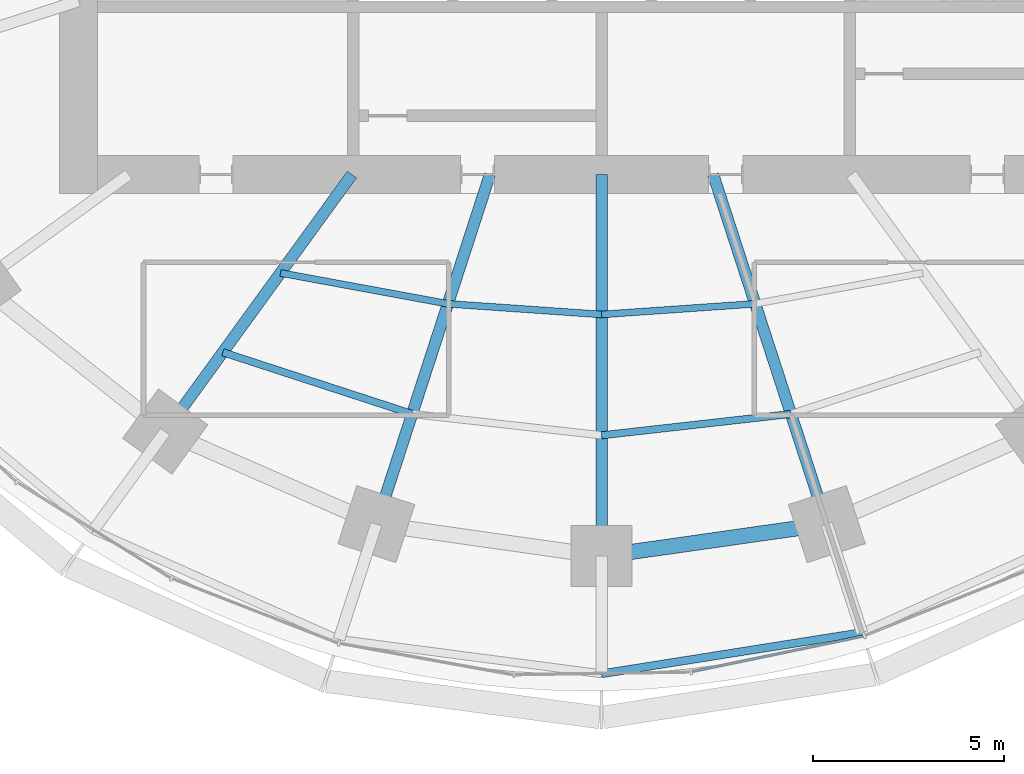
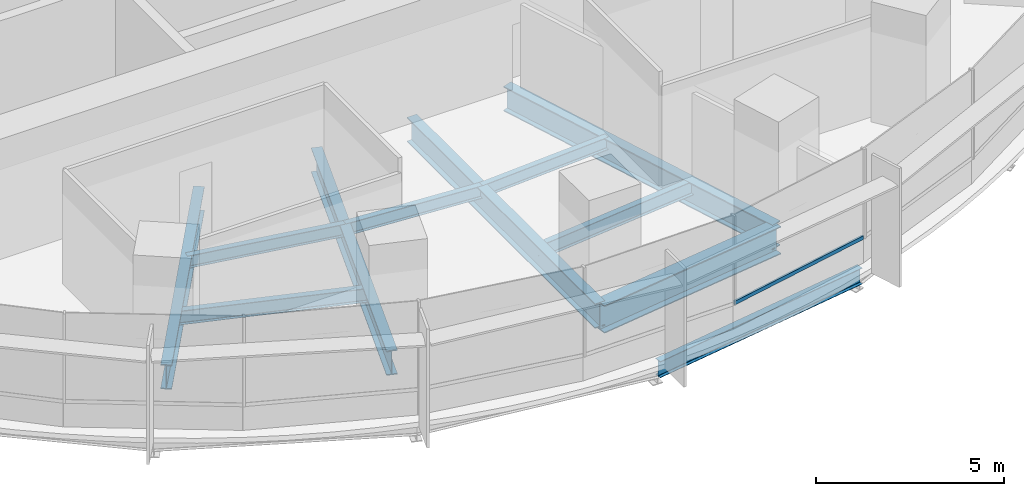
# One storey, part 3 of 14: 11 beams, 1 member, 1 element without a shape of its own.
"""IFC4 building model written with IfcOpenShell, lengths in metres."""

from ifc_helpers import new_model, si_unit, direction, frame, origin, origin_2d, place, context, subcontext, project, spatial, rectangle, i_section, extrude, material, material_profile, profile_set, type_object, element, aggregate, save


model = new_model("IFC4")

# Units and contexts
model_context = context("Model", 3, precision=1e-05, world=origin(), true_north=direction((0.0, 1.0)))
body_context = subcontext(model_context, "Body", "Model", "MODEL_VIEW")
ifc_project = project(units=[si_unit("LENGTHUNIT", "METRE"), si_unit("AREAUNIT", "SQUARE_METRE"), si_unit("VOLUMEUNIT", "CUBIC_METRE"), si_unit("PLANEANGLEUNIT", "RADIAN"), si_unit("MASSUNIT", "GRAM", prefix="KILO")], contexts=[model_context])

# Site, building, storey
site_placement = place(None, origin())
site = spatial("IfcSite", under=ifc_project, at=site_placement, CompositionType="ELEMENT")
building_placement = place(site_placement, origin())
building = spatial("IfcBuilding", under=site, at=building_placement, Name="Marramba Exchange Tower", CompositionType="ELEMENT")
storey_placement = place(building_placement, frame((0.0, 0.0, 162.60009765625)))
storey = spatial("IfcBuildingStorey", under=building, at=storey_placement, Name="L39", CompositionType="ELEMENT", Elevation=162.60009765625)

# Beams
ifc_material_1 = material(Name="Steel AS/NZS 3679.1 grade 300", Category="steel")
ifc_material_profile_1 = material_profile(ifc_material_1, i_section(OverallWidth=0.177978515625, OverallDepth=0.406005859375, WebThickness=0.0078125, FlangeThickness=0.0126953125, FilletRadius=0.011474609375, at=origin_2d()), Name="410UB59.7")
ifc_profile_set_1 = profile_set([ifc_material_profile_1], Name="Steel AS/NZS 3679.1 grade 300")
beam_type_1 = type_object("IfcBeamType", Name="Floor joist 410UB59.7", PredefinedType="JOIST", material=ifc_profile_set_1)
beam_1_placement = place(storey_placement, frame((-8.41162109375, -11.57763671875, -0.363037109375), z_axis=(0.983455754421, -0.181148500119, 0.0), x_axis=(0.181148500119, 0.983455754421, 0.0)))
element("IfcBeam", 1, at=beam_1_placement, inside=storey, type_object=beam_type_1, Name="Joist L39 bay 14 row 1", PredefinedType="JOIST", context=body_context, shape_type="SweptSolid", body=[
    extrude(i_section(OverallWidth=0.177978515625, OverallDepth=0.406005859375, WebThickness=0.0078125, FlangeThickness=0.0126953125, FilletRadius=0.011474609375, at=origin_2d()), origin(), (0.0, 0.0, 1.0), 4.4609375),
])
for number, where, z_axis, x_axis, name in (
    (2, (-4.0244140625, -12.3857421875, -0.363037109375), (0.99759625901, -0.069294328838, 0.0), (0.069294328838, 0.99759625901, 0.0), "Joist L39 bay 15 row 1"),
    (3, (0.0, -12.665283203125, -0.363037109375), (0.99759625901, 0.069294328838, 0.0), (-0.069294328838, 0.99759625901, 0.0), "Joist L39 bay 16 row 1"),
):
    element("IfcBeam", number, at=place(storey_placement, frame(where, z_axis=z_axis, x_axis=x_axis)), inside=storey, type_object=beam_type_1, Name=name, PredefinedType="JOIST", context=body_context, shape_type="SweptSolid", body=[
        extrude(i_section(OverallWidth=0.177978515625, OverallDepth=0.406005859375, WebThickness=0.0078125, FlangeThickness=0.0126953125, FilletRadius=0.011474609375, at=origin_2d()), origin(), (0.0, 0.0, 1.0), 4.0341796875),
    ])
ifc_material_profile_2 = material_profile(ifc_material_1, i_section(OverallWidth=0.18994140625, OverallDepth=0.4541015625, WebThickness=0.008544921875, FlangeThickness=0.0126953125, FilletRadius=0.011474609375, at=origin_2d()), Name="460UB67.1")
ifc_profile_set_2 = profile_set([ifc_material_profile_2], Name="Steel AS/NZS 3679.1 grade 300")
beam_type_2 = type_object("IfcBeamType", Name="Floor joist 460UB67.1", PredefinedType="JOIST", material=ifc_profile_set_2)
beam_2_placement = place(storey_placement, frame((-9.9208984375, -13.655029296875, -0.38720703125), z_axis=(0.950764024931, -0.309915744834, 0.0), x_axis=(0.309915744834, 0.950764024931, 0.0)))
element("IfcBeam", 4, at=beam_2_placement, inside=storey, type_object=beam_type_2, Name="Joist L39 bay 14 row 2", PredefinedType="JOIST", context=body_context, shape_type="SweptSolid", body=[
    extrude(i_section(OverallWidth=0.18994140625, OverallDepth=0.4541015625, WebThickness=0.008544921875, FlangeThickness=0.0126953125, FilletRadius=0.011474609375, at=origin_2d()), origin(), (0.0, 0.0, 1.0), 5.2158203125),
])
beam_3_placement = place(storey_placement, frame((0.0, -15.83056640625, -0.38720703125), z_axis=(0.993712018573, 0.111966174106, 0.0), x_axis=(-0.111966174106, 0.993712018573, 0.0)))
element("IfcBeam", 5, at=beam_3_placement, inside=storey, type_object=beam_type_2, Name="Joist L39 bay 16 row 2", PredefinedType="JOIST", context=body_context, shape_type="SweptSolid", body=[
    extrude(i_section(OverallWidth=0.18994140625, OverallDepth=0.4541015625, WebThickness=0.008544921875, FlangeThickness=0.0126953125, FilletRadius=0.011474609375, at=origin_2d()), origin(), (0.0, 0.0, 1.0), 4.993408203125),
])

# Curtain wall, member
ifc_material_2 = material(Name="Aluminium framing, bronze anodised", Category="aluminium")
curtain_wall_type = type_object("IfcCurtainWallType", Name="Office ribbon curtain wall", PredefinedType="USERDEFINED", material=ifc_material_2)
curtain_wall_placement = place(storey_placement, origin())
curtain_wall = element("IfcCurtainWall", 6, at=curtain_wall_placement, inside=storey, type_object=curtain_wall_type, Name="Curtain wall CW4 L39 F21-F25", ObjectType="RIBBON CURTAIN WALL", PredefinedType="USERDEFINED")
ifc_material_3 = material(Name="Aluminium transom, bronze anodised", Category="aluminium")
ifc_material_profile_3 = material_profile(ifc_material_3, rectangle(XDim=0.06005859375, YDim=0.1201171875, at=origin_2d()), Name="CW4 transom 60x120")
ifc_profile_set_3 = profile_set([ifc_material_profile_3], Name="Aluminium transom, bronze anodised")
member_type = type_object("IfcMemberType", Name="Office ribbon curtain wall transom", PredefinedType="USERDEFINED", material=ifc_profile_set_3)
member_placement = place(storey_placement, frame((2.374267578125, -22.017822265625, 0.829833984375), z_axis=(0.979310422034, 0.202363774661, 0.0), x_axis=(-0.202363774661, 0.979310422034, 0.0)))
member = element("IfcMember", 7, at=member_placement, type_object=member_type, Name="CW4 sill transom", ObjectType="TRANSOM", PredefinedType="USERDEFINED", context=body_context, shape_type="SweptSolid", body=[
    extrude(rectangle(XDim=0.06005859375, YDim=0.1201171875, at=origin_2d()), origin(), (0.0, 0.0, 1.0), 4.57373046875),
])
aggregate(curtain_wall, [member])

# Beams
ifc_material_4 = material(Name="Steel AS/NZS 3679.2 grade 300", Category="steel")
ifc_material_profile_4 = material_profile(ifc_material_4, i_section(OverallWidth=0.300048828125, OverallDepth=0.800048828125, WebThickness=0.013916015625, FlangeThickness=0.031982421875, at=origin_2d()), Name="800WB192")
ifc_profile_set_4 = profile_set([ifc_material_profile_4], Name="Steel AS/NZS 3679.2 grade 300")
beam_type_3 = type_object("IfcBeamType", Name="Radial girder 800WB192", PredefinedType="BEAM", material=ifc_profile_set_4)
beam_4_placement = place(storey_placement, frame((-6.538818359375, -9.0, -0.56005859375), z_axis=(-0.587787877172, -0.809015087282, 0.0), x_axis=(0.809015087282, -0.587787877172, 0.0)))
element("IfcBeam", 8, at=beam_4_placement, inside=storey, type_object=beam_type_3, Name="Radial girder L39 TC14", PredefinedType="BEAM", context=body_context, shape_type="SweptSolid", body=[
    extrude(i_section(OverallWidth=0.300048828125, OverallDepth=0.800048828125, WebThickness=0.013916015625, FlangeThickness=0.031982421875, at=origin_2d()), origin(), (0.0, 0.0, 1.0), 8.322021484375),
])
beam_5_placement = place(storey_placement, frame((-2.92431640625, -9.0, -0.56005859375), z_axis=(-0.309022428985, -0.951054750466, 0.0), x_axis=(0.951054750466, -0.309022428985, 0.0)))
element("IfcBeam", 9, at=beam_5_placement, inside=storey, type_object=beam_type_3, Name="Radial girder L39 TC15", PredefinedType="BEAM", context=body_context, shape_type="SweptSolid", body=[
    extrude(i_section(OverallWidth=0.300048828125, OverallDepth=0.800048828125, WebThickness=0.013916015625, FlangeThickness=0.031982421875, at=origin_2d()), origin(), (0.0, 0.0, 1.0), 9.628173828125),
])
beam_6_placement = place(storey_placement, frame((0.0, -9.0, -0.56005859375), z_axis=(0.0, -1.0, 0.0), x_axis=(1.0, 0.0, 0.0)))
element("IfcBeam", 10, at=beam_6_placement, inside=storey, type_object=beam_type_3, Name="Radial girder L39 TC16", PredefinedType="BEAM", context=body_context, shape_type="SweptSolid", body=[
    extrude(i_section(OverallWidth=0.300048828125, OverallDepth=0.800048828125, WebThickness=0.013916015625, FlangeThickness=0.031982421875, at=origin_2d()), origin(), (0.0, 0.0, 1.0), 9.99609375),
])
beam_7_placement = place(storey_placement, frame((2.92431640625, -9.0, -0.56005859375), z_axis=(0.309022428985, -0.951054750466, 0.0), x_axis=(0.951054750466, 0.309022428985, 0.0)))
element("IfcBeam", 11, at=beam_7_placement, inside=storey, type_object=beam_type_3, Name="Radial girder L39 TC17", PredefinedType="BEAM", context=body_context, shape_type="SweptSolid", body=[
    extrude(i_section(OverallWidth=0.300048828125, OverallDepth=0.800048828125, WebThickness=0.013916015625, FlangeThickness=0.031982421875, at=origin_2d()), origin(), (0.0, 0.0, 1.0), 9.628173828125),
])
ifc_material_profile_5 = material_profile(ifc_material_4, i_section(OverallWidth=0.39990234375, OverallDepth=0.89990234375, WebThickness=0.01611328125, FlangeThickness=0.031982421875, at=origin_2d()), Name="900WB282")
ifc_profile_set_5 = profile_set([ifc_material_profile_5], Name="Steel AS/NZS 3679.2 grade 300")
beam_type_4 = type_object("IfcBeamType", Name="Ring beam 900WB282", PredefinedType="SPANDREL", material=ifc_profile_set_5)
beam_8_placement = place(storey_placement, frame((0.0, -18.99609375, -0.610107421875), z_axis=(0.990036163016, 0.140813337152, 0.0), x_axis=(-0.140813337152, 0.990036163016, 0.0)))
element("IfcBeam", 12, at=beam_8_placement, inside=storey, type_object=beam_type_4, Name="Ring beam L39 TC16-TC17", PredefinedType="SPANDREL", context=body_context, shape_type="SweptSolid", body=[
    extrude(i_section(OverallWidth=0.39990234375, OverallDepth=0.89990234375, WebThickness=0.01611328125, FlangeThickness=0.031982421875, at=origin_2d()), origin(), (0.0, 0.0, 1.0), 5.958984375),
])
ifc_material_profile_6 = material_profile(ifc_material_1, i_section(OverallWidth=0.208984375, OverallDepth=0.528076171875, WebThickness=0.009521484375, FlangeThickness=0.01318359375, FilletRadius=0.013916015625, at=origin_2d()), Name="530UB82.0")
ifc_profile_set_6 = profile_set([ifc_material_profile_6], Name="Steel AS/NZS 3679.1 grade 300")
beam_type_5 = type_object("IfcBeamType", Name="Slab edge beam 530UB82.0", PredefinedType="SPANDREL", material=ifc_profile_set_6)
beam_9_placement = place(storey_placement, frame((0.0, -22.076904296875, -0.424072265625), z_axis=(0.987705008555, 0.15632919137, 0.0), x_axis=(-0.15632919137, 0.987705008555, 0.0)))
element("IfcBeam", 13, at=beam_9_placement, inside=storey, type_object=beam_type_5, Name="Slab edge beam L39 TC16-TC17", PredefinedType="SPANDREL", context=body_context, shape_type="SweptSolid", body=[
    extrude(i_section(OverallWidth=0.208984375, OverallDepth=0.528076171875, WebThickness=0.009521484375, FlangeThickness=0.01318359375, FilletRadius=0.013916015625, at=origin_2d()), origin(), (0.0, 0.0, 1.0), 6.907470703125),
])

save(model, "model.ifc")
